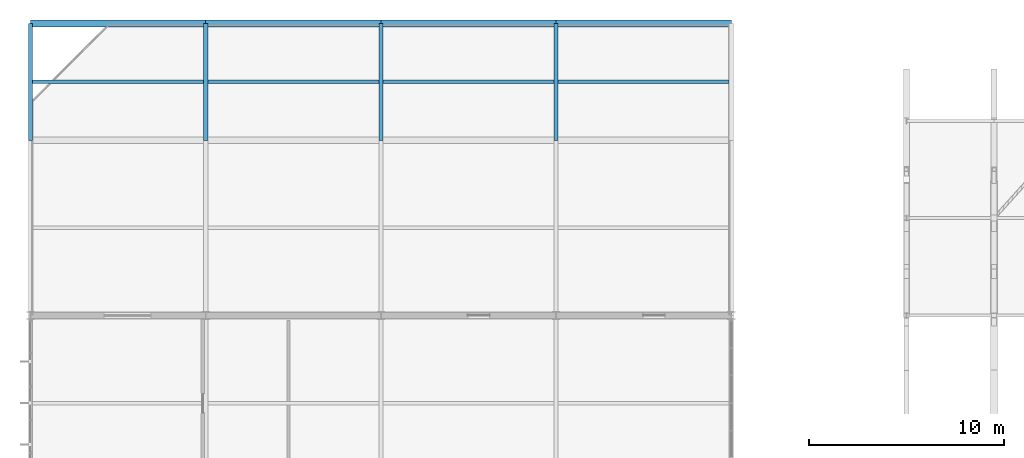
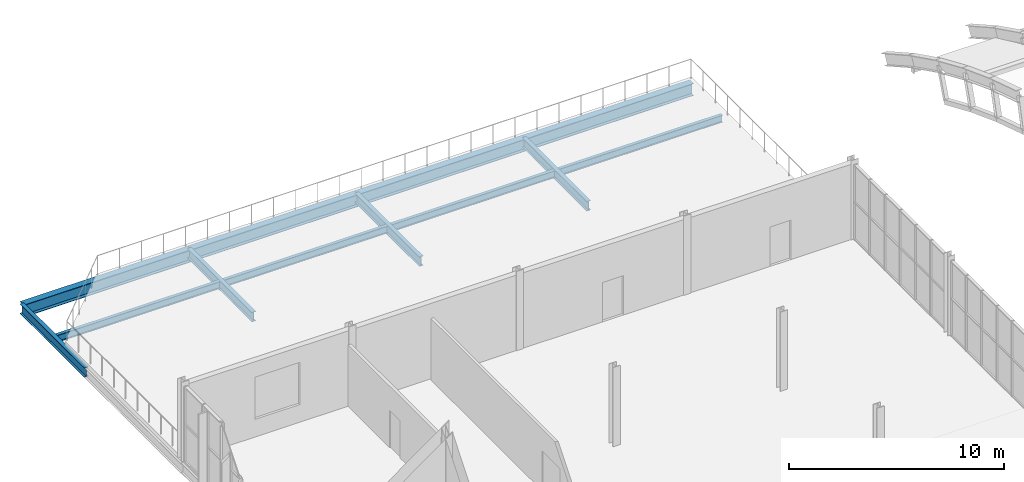
# One storey, part 36 of 103: 12 beams.
"""IFC4 building model written with IfcOpenShell, lengths in metres."""

from ifc_helpers import new_model, si_unit, direction, frame, origin, origin_2d, place, context, subcontext, project, spatial, i_section, extrude, material, material_profile, profile_set, type_object, element, save


model = new_model("IFC4")

# Units and contexts
model_context = context("Model", 3, precision=1e-05, world=origin(), true_north=direction((0.0, 1.0)))
body_context = subcontext(model_context, "Body", "Model", "MODEL_VIEW")
ifc_project = project(units=[si_unit("LENGTHUNIT", "METRE"), si_unit("AREAUNIT", "SQUARE_METRE"), si_unit("VOLUMEUNIT", "CUBIC_METRE"), si_unit("PLANEANGLEUNIT", "RADIAN"), si_unit("MASSUNIT", "GRAM", prefix="KILO")], contexts=[model_context])

# Site, building, storey
site_placement = place(None, origin())
site = spatial("IfcSite", under=ifc_project, at=site_placement, CompositionType="ELEMENT")
building_placement = place(site_placement, origin())
building = spatial("IfcBuilding", under=site, at=building_placement, Name="Cazmaro Siding Exhibition Halls", CompositionType="ELEMENT")
storey_placement = place(building_placement, frame((0.0, 0.0, 16.5)))
storey = spatial("IfcBuildingStorey", under=building, at=storey_placement, Name="L03", CompositionType="ELEMENT", Elevation=16.5)

# Beams
ifc_material_1 = material(Name="Steel ASTM A992 Grade 50", Category="steel")
ifc_material_profile_1 = material_profile(ifc_material_1, i_section(OverallWidth=0.214111328125, OverallDepth=0.549072265625, WebThickness=0.014892578125, FlangeThickness=0.02392578125, at=origin_2d()), Name="W21X93")
ifc_profile_set_1 = profile_set([ifc_material_profile_1], Name="Steel ASTM A992 Grade 50")
beam_type_1 = type_object("IfcBeamType", Name="B-01", PredefinedType="BEAM", material=ifc_profile_set_1)
for number, where, z_axis, x_axis, name in (
    (1, (0.0, 118.0, -0.5439453125), (0.0, 1.0, 0.0), (-1.0, 0.0, 0.0), "Beam B-01 BM-2245"),
    (2, (9.0, 118.0, -0.5439453125), (0.0, 1.0, 0.0), (-1.0, 0.0, 0.0), "Beam B-01 BM-2253"),
    (3, (18.0, 118.0, -0.5439453125), (0.0, 1.0, 0.0), (-1.0, 0.0, 0.0), "Beam B-01 BM-2261"),
    (4, (27.0, 118.0, -0.5439453125), (0.0, 1.0, 0.0), (-1.0, 0.0, 0.0), "Beam B-01 BM-2269"),
):
    element("IfcBeam", number, at=place(storey_placement, frame(where, z_axis=z_axis, x_axis=x_axis)), inside=storey, type_object=beam_type_1, Name=name, PredefinedType="BEAM", context=body_context, shape_type="SweptSolid", body=[
        extrude(i_section(OverallWidth=0.214111328125, OverallDepth=0.549072265625, WebThickness=0.014892578125, FlangeThickness=0.02392578125, at=origin_2d()), origin(), (0.0, 0.0, 1.0), 6.0),
    ])
ifc_material_2 = material(Name="Steel ASTM A992 Grade 50", Category="steel")
ifc_material_profile_2 = material_profile(ifc_material_2, i_section(OverallWidth=0.35595703125, OverallDepth=0.696044921875, WebThickness=0.014892578125, FlangeThickness=0.02490234375, at=origin_2d()), Name="W27X146")
ifc_profile_set_2 = profile_set([ifc_material_profile_2], Name="Steel ASTM A992 Grade 50")
beam_type_2 = type_object("IfcBeamType", Name="G-05", PredefinedType="USERDEFINED", material=ifc_profile_set_2)
for number, where, z_axis, x_axis, name in (
    (5, (0.0, 124.0, -0.617919921875), (1.0, 0.0, 0.0), (0.0, 1.0, 0.0), "Beam G-05 BM-2180"),
    (6, (9.0, 124.0, -0.617919921875), (1.0, 0.0, 0.0), (0.0, 1.0, 0.0), "Beam G-05 BM-2195"),
    (7, (18.0, 124.0, -0.617919921875), (1.0, 0.0, 0.0), (0.0, 1.0, 0.0), "Beam G-05 BM-2212"),
    (8, (27.0, 124.0, -0.617919921875), (1.0, 0.0, 0.0), (0.0, 1.0, 0.0), "Beam G-05 BM-2229"),
):
    element("IfcBeam", number, at=place(storey_placement, frame(where, z_axis=z_axis, x_axis=x_axis)), inside=storey, type_object=beam_type_2, Name=name, ObjectType="GIRDER", PredefinedType="USERDEFINED", context=body_context, shape_type="SweptSolid", body=[
        extrude(i_section(OverallWidth=0.35595703125, OverallDepth=0.696044921875, WebThickness=0.014892578125, FlangeThickness=0.02490234375, at=origin_2d()), origin(), (0.0, 0.0, 1.0), 9.0),
    ])
ifc_material_3 = material(Name="Steel ASTM A992 Grade 50", Category="steel")
ifc_material_profile_3 = material_profile(ifc_material_3, i_section(OverallWidth=0.177978515625, OverallDepth=0.406005859375, WebThickness=0.008056640625, FlangeThickness=0.012939453125, at=origin_2d()), Name="W16X40")
ifc_profile_set_3 = profile_set([ifc_material_profile_3], Name="Steel ASTM A992 Grade 50")
beam_type_3 = type_object("IfcBeamType", Name="J-02", PredefinedType="JOIST", material=ifc_profile_set_3)
for number, where, z_axis, x_axis, name in (
    (9, (0.10693359375, 121.0, -0.472900390625), (1.0, 0.0, 0.0), (0.0, 1.0, 0.0), "Beam J-02 BM-2186"),
    (10, (9.10693359375, 121.0, -0.472900390625), (1.0, 0.0, 0.0), (0.0, 1.0, 0.0), "Beam J-02 BM-2203"),
    (11, (18.10693359375, 121.0, -0.472900390625), (1.0, 0.0, 0.0), (0.0, 1.0, 0.0), "Beam J-02 BM-2220"),
    (12, (27.10693359375, 121.0, -0.472900390625), (1.0, 0.0, 0.0), (0.0, 1.0, 0.0), "Beam J-02 BM-2237"),
):
    element("IfcBeam", number, at=place(storey_placement, frame(where, z_axis=z_axis, x_axis=x_axis)), inside=storey, type_object=beam_type_3, Name=name, PredefinedType="JOIST", context=body_context, shape_type="SweptSolid", body=[
        extrude(i_section(OverallWidth=0.177978515625, OverallDepth=0.406005859375, WebThickness=0.008056640625, FlangeThickness=0.012939453125, at=origin_2d()), origin(), (0.0, 0.0, 1.0), 8.7861328125),
    ])

save(model, "model.ifc")
